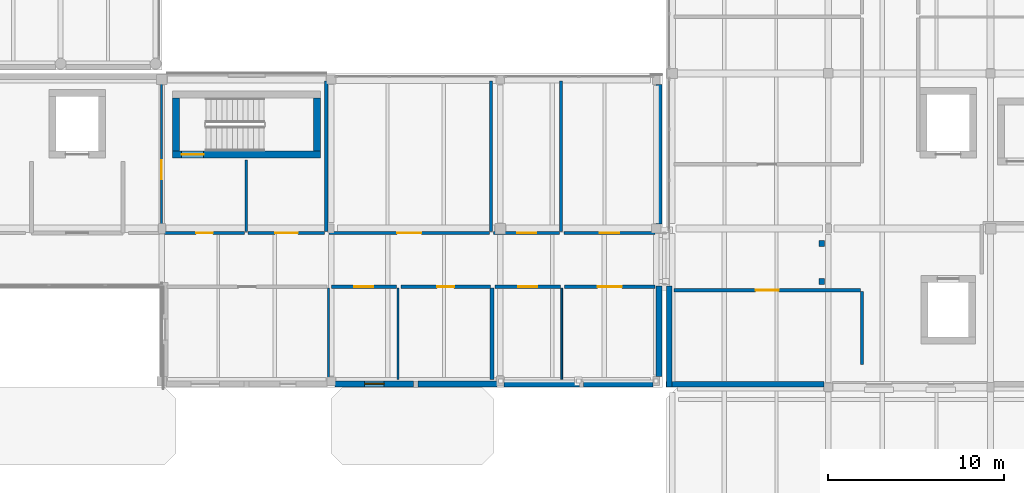
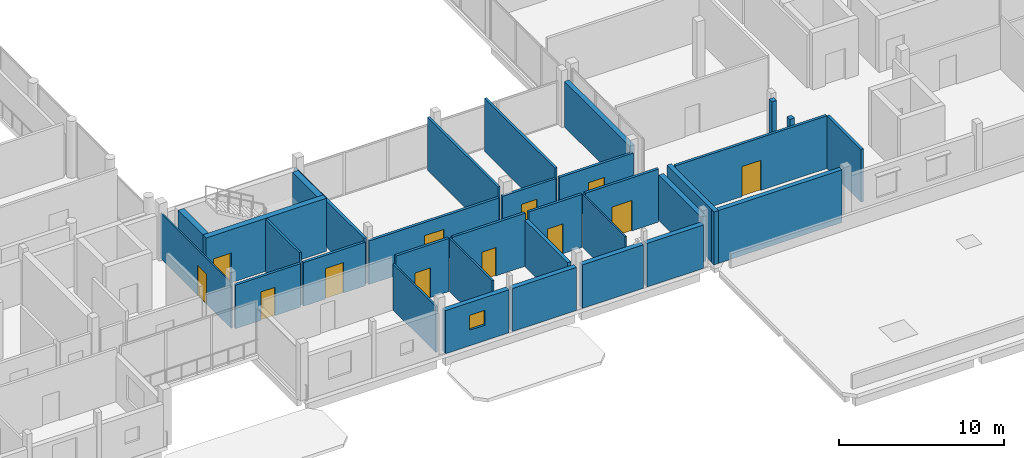
# One storey, part 44 of 66: 33 walls, 12 doors, 1 window, 13 openings.
"""IFC4 building model written with IfcOpenShell, lengths in metres."""

from ifc_helpers import new_model, si_unit, direction, frame, frame_2d, origin, place, context, subcontext, project, spatial, rectangle, extrude, material, layer, layer_set, type_object, element, fill, save


model = new_model("IFC4")

# Units and contexts
model_context = context("Model", 3, precision=1e-05, world=origin(), true_north=direction((0.0, 1.0)))
body_context = subcontext(model_context, "Body", "Model", "MODEL_VIEW")
ifc_project = project(units=[si_unit("LENGTHUNIT", "METRE"), si_unit("AREAUNIT", "SQUARE_METRE"), si_unit("VOLUMEUNIT", "CUBIC_METRE"), si_unit("PLANEANGLEUNIT", "RADIAN"), si_unit("MASSUNIT", "GRAM", prefix="KILO")], contexts=[model_context])

# Site, building, storey
site_placement = place(None, origin())
site = spatial("IfcSite", under=ifc_project, at=site_placement, CompositionType="ELEMENT")
building_placement = place(site_placement, origin())
building = spatial("IfcBuilding", under=site, at=building_placement, Name="Birchvale Park Specialist Clinic", CompositionType="ELEMENT")
storey_placement = place(building_placement, frame((0.0, 0.0, 5.39990234375)))
storey = spatial("IfcBuildingStorey", under=building, at=storey_placement, Name="L01", CompositionType="ELEMENT", Elevation=5.39990234375)

# Wall, opening, door
ifc_material_1 = material(Name="Concrete C40/50", Category="concrete")
ifc_layer_1 = layer(ifc_material_1, 0.39990234375)
ifc_layer_set_1 = layer_set([ifc_layer_1], Name="Concrete C40/50")
wall_type_1 = type_object("IfcWallType", Name="WL-CW-120", PredefinedType="SHEAR", material=ifc_layer_set_1)
wall_1_placement = place(storey_placement, frame((90.800048828125, 30.0, 0.0), z_axis=(0.0, 0.0, 1.0), x_axis=(1.0, 0.0, 0.0)))
wall_1 = element("IfcWall", 1, at=wall_1_placement, inside=storey, type_object=wall_type_1, Name="L01 stair ST5 EI 120 enclosure wall (south)", PredefinedType="SHEAR", context=body_context, shape_type="SweptSolid", body=[
    extrude(rectangle(XDim=8.39990234375, YDim=0.39990234375, at=frame_2d((4.199951171875, 0.0))), origin(), (0.0, 0.0, 1.0), 3.920166015625),
])
opening_1_placement = place(wall_1_placement, frame((0.52001953125, 0.0, 0.0)))
opening_1 = element("IfcOpeningElement", 2, at=opening_1_placement, cuts=wall_1, Name="Opening ID-FD60", PredefinedType="OPENING", context=body_context, shape_type="SweptSolid", body=[
    extrude(rectangle(XDim=1.25, YDim=2.199951171875, at=frame_2d((0.625, 1.10009765625))), frame((0.0, 0.2099609375, 0.0), z_axis=(0.0, -1.0, 0.0), x_axis=(1.0, 0.0, 0.0)), (0.0, 0.0, 1.0), 0.419921875),
])
ifc_material_2 = material(Name="Solid-core birch veneer and anodised aluminium", Category="aluminium")
door_type_1 = type_object("IfcDoorType", Name="DR-ID-FD60", OperationType="NOTDEFINED", PredefinedType="DOOR", material=ifc_material_2)
door_1_placement = place(opening_1_placement, origin())
door_1 = element("IfcDoor", 3, at=door_1_placement, inside=storey, type_object=door_type_1, Name="L01 stair ST5 fire door", OperationType="SINGLE_SWING_LEFT", OverallHeight=2.199951171875, OverallWidth=1.25, PredefinedType="DOOR", context=body_context, shape_type="SweptSolid", body=[
    extrude(rectangle(XDim=1.25, YDim=2.199951171875, at=frame_2d((0.625, 1.10009765625))), frame((0.0, 0.02490234375, 0.0), z_axis=(0.0, -1.0, 0.0), x_axis=(1.0, 0.0, 0.0)), (0.0, 0.0, 1.0), 0.050048828125),
])
fill(opening_1, door_1)

# Walls
for number, where, z_axis, x_axis, name in (
    (4, (91.0, 30.199951171875, 0.0), (0.0, 0.0, 1.0), (0.0, 1.0, 0.0), "L01 stair ST5 EI 120 enclosure wall (west)"),
    (5, (99.0, 33.199951171875, 0.0), (0.0, 0.0, 1.0), (0.0, -1.0, 0.0), "L01 stair ST5 EI 120 enclosure wall (east)"),
):
    element("IfcWall", number, at=place(storey_placement, frame(where, z_axis=z_axis, x_axis=x_axis)), inside=storey, type_object=wall_type_1, Name=name, PredefinedType="SHEAR", context=body_context, shape_type="SweptSolid", body=[
        extrude(rectangle(XDim=3.0, YDim=0.39990234375, at=frame_2d((1.5, 0.0))), origin(), (0.0, 0.0, 1.0), 3.920166015625),
    ])

# Wall, opening, window
ifc_material_3 = material(Name="Lime-white mineral-rendered insulated masonry", Category="masonry")
ifc_layer_2 = layer(ifc_material_3, 0.340087890625)
ifc_layer_set_2 = layer_set([ifc_layer_2], Name="Lime-white mineral-rendered insulated masonry")
wall_type_2 = type_object("IfcWallType", Name="WL-EW-01", PredefinedType="STANDARD", material=ifc_layer_set_2)
wall_2_placement = place(storey_placement, frame((100.034912109375, 16.989990234375, 0.0), z_axis=(0.0, 0.0, 1.0), x_axis=(1.0, 0.0, 0.0)))
wall_2 = element("IfcWall", 6, at=wall_2_placement, inside=storey, type_object=wall_type_2, Name="V4 L01 exterior facade wall 147", PredefinedType="STANDARD", context=body_context, shape_type="SweptSolid", body=[
    extrude(rectangle(XDim=4.445068359375, YDim=0.340087890625, at=frame_2d((2.22265625, 0.0))), origin(), (0.0, 0.0, 1.0), 3.18505859375),
])
opening_2_placement = place(wall_2_placement, frame((1.672607421875, 0.0, 1.14990234375)))
opening_2 = element("IfcOpeningElement", 7, at=opening_2_placement, cuts=wall_2, Name="Opening W-SQ11", PredefinedType="OPENING", context=body_context, shape_type="SweptSolid", body=[
    extrude(rectangle(XDim=1.10009765625, YDim=1.10009765625, at=frame_2d((0.550048828125, 0.550048828125))), frame((0.0, 0.18017578125, 0.0), z_axis=(0.0, -1.0, 0.0), x_axis=(1.0, 0.0, 0.0)), (0.0, 0.0, 1.0), 0.360107421875),
])
ifc_material_4 = material(Name="Solar-control low-E double glazing", Category="glass")
window_type = type_object("IfcWindowType", Name="WIN-W-SQ11", PartitioningType="SINGLE_PANEL", PredefinedType="WINDOW", material=ifc_material_4)
window_placement = place(opening_2_placement, origin())
window = element("IfcWindow", 8, at=window_placement, inside=storey, type_object=window_type, Name="V4 L01 cased window 41", OverallHeight=1.10009765625, OverallWidth=1.10009765625, PartitioningType="SINGLE_PANEL", PredefinedType="WINDOW", context=body_context, shape_type="SweptSolid", body=[
    extrude(rectangle(XDim=1.10009765625, YDim=1.10009765625, at=frame_2d((0.550048828125, 0.550048828125))), frame((0.0, 0.030029296875, 0.0), z_axis=(0.0, -1.0, 0.0), x_axis=(1.0, 0.0, 0.0)), (0.0, 0.0, 1.0), 0.06005859375),
])
fill(opening_2, window)

# Walls
wall_3_placement = place(storey_placement, frame((104.719970703125, 16.989990234375, 0.0), z_axis=(0.0, 0.0, 1.0), x_axis=(1.0, 0.0, 0.0)))
element("IfcWall", 9, at=wall_3_placement, inside=storey, type_object=wall_type_2, Name="V4 L01 exterior facade wall 148", PredefinedType="STANDARD", context=body_context, shape_type="SweptSolid", body=[
    extrude(rectangle(XDim=4.47509765625, YDim=0.340087890625, at=frame_2d((2.237548828125, 0.0))), origin(), (0.0, 0.0, 1.0), 3.18505859375),
])
wall_4_placement = place(storey_placement, frame((109.60498046875, 16.989990234375, 0.0), z_axis=(0.0, 0.0, 1.0), x_axis=(1.0, 0.0, 0.0)))
element("IfcWall", 10, at=wall_4_placement, inside=storey, type_object=wall_type_2, Name="V4 L01 exterior facade wall 149", PredefinedType="STANDARD", context=body_context, shape_type="SweptSolid", body=[
    extrude(rectangle(XDim=4.280029296875, YDim=0.340087890625, at=frame_2d((2.14013671875, 0.0))), origin(), (0.0, 0.0, 1.0), 3.215087890625),
])
wall_5_placement = place(storey_placement, frame((114.114990234375, 16.989990234375, 0.0), z_axis=(0.0, 0.0, 1.0), x_axis=(1.0, 0.0, 0.0)))
element("IfcWall", 11, at=wall_5_placement, inside=storey, type_object=wall_type_2, Name="V4 L01 exterior facade wall 150", PredefinedType="STANDARD", context=body_context, shape_type="SweptSolid", body=[
    extrude(rectangle(XDim=3.955078125, YDim=0.340087890625, at=frame_2d((1.9775390625, 0.0))), origin(), (0.0, 0.0, 1.0), 3.215087890625),
])
wall_6_placement = place(storey_placement, frame((118.409912109375, 17.405029296875, 0.0), z_axis=(0.0, 0.0, 1.0), x_axis=(0.0, 1.0, 0.0)))
element("IfcWall", 12, at=wall_6_placement, inside=storey, type_object=wall_type_2, Name="V4 L01 exterior facade wall 151", PredefinedType="STANDARD", context=body_context, shape_type="SweptSolid", body=[
    extrude(rectangle(XDim=5.14501953125, YDim=0.340087890625, at=frame_2d((2.572509765625, 0.0))), origin(), (0.0, 0.0, 1.0), 3.364990234375),
])
wall_7_placement = place(storey_placement, frame((118.409912109375, 26.06005859375, 0.0), z_axis=(0.0, 0.0, 1.0), x_axis=(0.0, 1.0, 0.0)))
element("IfcWall", 13, at=wall_7_placement, inside=storey, type_object=wall_type_2, Name="V4 L01 exterior facade wall 152", PredefinedType="STANDARD", context=body_context, shape_type="SweptSolid", body=[
    extrude(rectangle(XDim=7.905029296875, YDim=0.340087890625, at=frame_2d((3.95263671875, 0.0))), origin(), (0.0, 0.0, 1.0), 3.364990234375),
])
ifc_layer_3 = layer(ifc_material_3, 0.31005859375)
ifc_layer_set_3 = layer_set([ifc_layer_3], Name="Lime-white mineral-rendered insulated masonry")
wall_type_3 = type_object("IfcWallType", Name="WL-EW-02", PredefinedType="STANDARD", material=ifc_layer_set_3)
wall_8_placement = place(storey_placement, frame((118.800048828125, 16.97509765625, 0.0), z_axis=(0.0, 0.0, 1.0), x_axis=(1.0, 0.0, 0.0)))
element("IfcWall", 14, at=wall_8_placement, inside=storey, type_object=wall_type_3, Name="V5 L01 exterior facade wall 159", PredefinedType="STANDARD", context=body_context, shape_type="SweptSolid", body=[
    extrude(rectangle(XDim=8.954833984375, YDim=0.31005859375, at=frame_2d((4.4775390625, 0.0))), origin(), (0.0, 0.0, 1.0), 3.900146484375),
])
wall_9_placement = place(storey_placement, frame((118.97509765625, 22.550048828125, 0.0), z_axis=(0.0, 0.0, 1.0), x_axis=(0.0, -1.0, 0.0)))
element("IfcWall", 15, at=wall_9_placement, inside=storey, type_object=wall_type_3, Name="V5 L01 exterior facade wall 171", PredefinedType="STANDARD", context=body_context, shape_type="SweptSolid", body=[
    extrude(rectangle(XDim=5.72998046875, YDim=0.31005859375, at=frame_2d((2.864990234375, 0.0))), origin(), (0.0, 0.0, 1.0), 3.900146484375),
])
ifc_material_5 = material(Name="Acoustic gypsum board on metal framing")
ifc_layer_4 = layer(ifc_material_5, 0.1650390625)
ifc_layer_set_4 = layer_set([ifc_layer_4], Name="Acoustic gypsum board on metal framing")
wall_type_4 = type_object("IfcWallType", Name="WL-IW-01", PredefinedType="PARTITIONING", material=ifc_layer_set_4)
for number, where, z_axis, x_axis, name in (
    (16, (108.860107421875, 34.159912109375, 0.0), (0.0, 0.0, 1.0), (0.0, -1.0, 0.0), "V4 L01 clinical partition 358"),
    (17, (112.845947265625, 34.159912109375, 0.0), (0.0, 0.0, 1.0), (0.0, -1.0, 0.0), "V4 L01 clinical partition 360"),
):
    element("IfcWall", number, at=place(storey_placement, frame(where, z_axis=z_axis, x_axis=x_axis)), inside=storey, type_object=wall_type_4, Name=name, PredefinedType="PARTITIONING", context=body_context, shape_type="SweptSolid", body=[
        extrude(rectangle(XDim=8.530029296875, YDim=0.1650390625, at=frame_2d((4.26513671875, 0.0))), origin(), (0.0, 0.0, 1.0), 3.920166015625),
    ])
ifc_layer_5 = layer(ifc_material_5, 0.14990234375)
ifc_layer_set_5 = layer_set([ifc_layer_5], Name="Acoustic gypsum board on metal framing")
wall_type_5 = type_object("IfcWallType", Name="WL-IW-02", PredefinedType="PARTITIONING", material=ifc_layer_set_5)
wall_10_placement = place(storey_placement, frame((94.97998046875, 29.699951171875, 0.0), z_axis=(0.0, 0.0, 1.0), x_axis=(0.0, -1.0, 0.0)))
element("IfcWall", 18, at=wall_10_placement, inside=storey, type_object=wall_type_5, Name="V4 L01 clinical partition 354", PredefinedType="PARTITIONING", context=body_context, shape_type="SweptSolid", body=[
    extrude(rectangle(XDim=4.070068359375, YDim=0.14990234375, at=frame_2d((2.03515625, 0.0))), origin(), (0.0, 0.0, 1.0), 3.920166015625),
])
ifc_layer_6 = layer(ifc_material_5, 0.125)
ifc_layer_set_6 = layer_set([ifc_layer_6], Name="Acoustic gypsum board on metal framing")
wall_type_6 = type_object("IfcWallType", Name="WL-IW-04", PredefinedType="PARTITIONING", material=ifc_layer_set_6)
wall_11_placement = place(storey_placement, frame((99.6533203125, 22.419921875, 0.0), z_axis=(0.0, 0.0, 1.0), x_axis=(0.0, -1.0, 0.0)))
element("IfcWall", 19, at=wall_11_placement, inside=storey, type_object=wall_type_6, Name="V4 L01 clinical partition 329", PredefinedType="PARTITIONING", context=body_context, shape_type="SweptSolid", body=[
    extrude(rectangle(XDim=5.179931640625, YDim=0.125, at=frame_2d((2.58984375, 0.0))), origin(), (0.0, 0.0, 1.0), 3.405029296875),
])
wall_12_placement = place(storey_placement, frame((103.594482421875, 22.419921875, 0.0), z_axis=(0.0, 0.0, 1.0), x_axis=(0.0, -1.0, 0.0)))
element("IfcWall", 20, at=wall_12_placement, inside=storey, type_object=wall_type_6, Name="V4 L01 clinical partition 330", PredefinedType="PARTITIONING", context=body_context, shape_type="SweptSolid", body=[
    extrude(rectangle(XDim=5.179931640625, YDim=0.125, at=frame_2d((2.58984375, 0.0))), origin(), (0.0, 0.0, 1.0), 3.920166015625),
])
ifc_layer_7 = layer(ifc_material_5, 0.10009765625)
ifc_layer_set_7 = layer_set([ifc_layer_7], Name="Acoustic gypsum board on metal framing")
wall_type_7 = type_object("IfcWallType", Name="WL-IW-06", PredefinedType="PARTITIONING", material=ifc_layer_set_7)
wall_13_placement = place(storey_placement, frame((112.884765625, 22.419921875, 0.0), z_axis=(0.0, 0.0, 1.0), x_axis=(0.0, -1.0, 0.0)))
element("IfcWall", 21, at=wall_13_placement, inside=storey, type_object=wall_type_7, Name="V4 L01 clinical partition 334", PredefinedType="PARTITIONING", context=body_context, shape_type="SweptSolid", body=[
    extrude(rectangle(XDim=5.179931640625, YDim=0.10009765625, at=frame_2d((2.58984375, 0.0))), origin(), (0.0, 0.0, 1.0), 3.920166015625),
])

# Wall, opening, door
wall_14_placement = place(storey_placement, frame((90.179931640625, 34.159912109375, 0.0), z_axis=(0.0, 0.0, 1.0), x_axis=(0.0, -1.0, 0.0)))
wall_14 = element("IfcWall", 22, at=wall_14_placement, inside=storey, type_object=wall_type_7, Name="V4 L01 clinical partition 352", PredefinedType="PARTITIONING", context=body_context, shape_type="SweptSolid", body=[
    extrude(rectangle(XDim=8.530029296875, YDim=0.10009765625, at=frame_2d((4.26513671875, 0.0))), origin(), (0.0, 0.0, 1.0), 3.364990234375),
])
opening_3_placement = place(wall_14_placement, frame((4.47509765625, 0.0, 0.0)))
opening_3 = element("IfcOpeningElement", 23, at=opening_3_placement, cuts=wall_14, Name="Opening ID-03", PredefinedType="OPENING", context=body_context, shape_type="SweptSolid", body=[
    extrude(rectangle(XDim=1.080078125, YDim=2.199951171875, at=frame_2d((0.5400390625, 1.10009765625))), frame((0.0, 0.06005859375, 0.0), z_axis=(0.0, -1.0, 0.0), x_axis=(1.0, 0.0, 0.0)), (0.0, 0.0, 1.0), 0.1201171875),
])
door_type_2 = type_object("IfcDoorType", Name="DR-ID-03", OperationType="NOTDEFINED", PredefinedType="DOOR", material=ifc_material_2)
door_2_placement = place(opening_3_placement, origin())
door_2 = element("IfcDoor", 24, at=door_2_placement, inside=storey, type_object=door_type_2, Name="V4 L01 clinical suite door 263", OperationType="SINGLE_SWING_RIGHT", OverallHeight=2.199951171875, OverallWidth=1.080078125, PredefinedType="DOOR", context=body_context, shape_type="SweptSolid", body=[
    extrude(rectangle(XDim=1.080078125, YDim=2.199951171875, at=frame_2d((0.5400390625, 1.10009765625))), frame((0.0, 0.02490234375, 0.0), z_axis=(0.0, -1.0, 0.0), x_axis=(1.0, 0.0, 0.0)), (0.0, 0.0, 1.0), 0.050048828125),
])
fill(opening_3, door_2)

# Walls
ifc_layer_8 = layer(ifc_material_5, 0.195068359375)
ifc_layer_set_8 = layer_set([ifc_layer_8], Name="Acoustic gypsum board on metal framing")
wall_type_8 = type_object("IfcWallType", Name="WL-IW-07", PredefinedType="PARTITIONING", material=ifc_layer_set_8)
wall_15_placement = place(storey_placement, frame((99.52001953125, 34.159912109375, 0.0), z_axis=(0.0, 0.0, 1.0), x_axis=(0.0, -1.0, 0.0)))
element("IfcWall", 25, at=wall_15_placement, inside=storey, type_object=wall_type_8, Name="V4 L01 clinical partition 356", PredefinedType="PARTITIONING", context=body_context, shape_type="SweptSolid", body=[
    extrude(rectangle(XDim=8.530029296875, YDim=0.195068359375, at=frame_2d((4.26513671875, 0.0))), origin(), (0.0, 0.0, 1.0), 3.405029296875),
])
ifc_layer_9 = layer(ifc_material_5, 0.239990234375)
ifc_layer_set_9 = layer_set([ifc_layer_9], Name="Acoustic gypsum board on metal framing")
wall_type_9 = type_object("IfcWallType", Name="WL-IW-08", PredefinedType="PARTITIONING", material=ifc_layer_set_9)
wall_16_placement = place(storey_placement, frame((108.9267578125, 22.419921875, 0.0), z_axis=(0.0, 0.0, 1.0), x_axis=(0.0, -1.0, 0.0)))
element("IfcWall", 26, at=wall_16_placement, inside=storey, type_object=wall_type_9, Name="V4 L01 clinical partition 333", PredefinedType="PARTITIONING", context=body_context, shape_type="SweptSolid", body=[
    extrude(rectangle(XDim=5.179931640625, YDim=0.239990234375, at=frame_2d((2.58984375, 0.0))), origin(), (0.0, 0.0, 1.0), 3.405029296875),
])

# Wall, opening, door
ifc_layer_10 = layer(ifc_material_5, 0.179931640625)
ifc_layer_set_10 = layer_set([ifc_layer_10], Name="Acoustic gypsum board on metal framing")
wall_type_10 = type_object("IfcWallType", Name="WL-IW-60", PredefinedType="PARTITIONING", material=ifc_layer_set_10)
wall_17_placement = place(storey_placement, frame((99.813232421875, 22.5, 0.0), z_axis=(0.0, 0.0, 1.0), x_axis=(1.0, 0.0, 0.0)))
wall_17 = element("IfcWall", 27, at=wall_17_placement, inside=storey, type_object=wall_type_10, Name="V4 L01 clinical partition 331", PredefinedType="PARTITIONING", context=body_context, shape_type="SweptSolid", body=[
    extrude(rectangle(XDim=3.701171875, YDim=0.179931640625, at=frame_2d((1.8505859375, 0.0))), origin(), (0.0, 0.0, 1.0), 3.920166015625),
])
opening_4_placement = place(wall_17_placement, frame((1.310546875, 0.0, 0.0)))
opening_4 = element("IfcOpeningElement", 28, at=opening_4_placement, cuts=wall_17, Name="Opening ID-03", PredefinedType="OPENING", context=body_context, shape_type="SweptSolid", body=[
    extrude(rectangle(XDim=1.080078125, YDim=2.199951171875, at=frame_2d((0.5400390625, 1.10009765625))), frame((0.0, 0.10009765625, 0.0), z_axis=(0.0, -1.0, 0.0), x_axis=(1.0, 0.0, 0.0)), (0.0, 0.0, 1.0), 0.199951171875),
])
door_3_placement = place(opening_4_placement, origin())
door_3 = element("IfcDoor", 29, at=door_3_placement, inside=storey, type_object=door_type_2, Name="L01 Accessible Patient WC door", OperationType="SINGLE_SWING_RIGHT", OverallHeight=2.199951171875, OverallWidth=1.080078125, PredefinedType="DOOR", context=body_context, shape_type="SweptSolid", body=[
    extrude(rectangle(XDim=1.080078125, YDim=2.199951171875, at=frame_2d((0.5400390625, 1.10009765625))), frame((0.0, 0.02490234375, 0.0), z_axis=(0.0, -1.0, 0.0), x_axis=(1.0, 0.0, 0.0)), (0.0, 0.0, 1.0), 0.050048828125),
])
fill(opening_4, door_3)

wall_18_placement = place(storey_placement, frame((103.75439453125, 22.5, 0.0), z_axis=(0.0, 0.0, 1.0), x_axis=(1.0, 0.0, 0.0)))
wall_18 = element("IfcWall", 30, at=wall_18_placement, inside=storey, type_object=wall_type_10, Name="V4 L01 clinical partition 332", PredefinedType="PARTITIONING", context=body_context, shape_type="SweptSolid", body=[
    extrude(rectangle(XDim=5.09228515625, YDim=0.179931640625, at=frame_2d((2.546142578125, 0.0))), origin(), (0.0, 0.0, 1.0), 3.920166015625),
])
opening_5_placement = place(wall_18_placement, frame((2.066162109375, 0.0, 0.0)))
opening_5 = element("IfcOpeningElement", 31, at=opening_5_placement, cuts=wall_18, Name="Opening ID-04", PredefinedType="OPENING", context=body_context, shape_type="SweptSolid", body=[
    extrude(rectangle(XDim=0.9599609375, YDim=2.10009765625, at=frame_2d((0.47998046875, 1.050048828125))), frame((0.0, 0.10009765625, 0.0), z_axis=(0.0, -1.0, 0.0), x_axis=(1.0, 0.0, 0.0)), (0.0, 0.0, 1.0), 0.199951171875),
])
door_type_3 = type_object("IfcDoorType", Name="DR-ID-04", OperationType="NOTDEFINED", PredefinedType="DOOR", material=ifc_material_2)
door_4_placement = place(opening_5_placement, origin())
door_4 = element("IfcDoor", 32, at=door_4_placement, inside=storey, type_object=door_type_3, Name="L01 Oncology Consultation Suite door", OperationType="SINGLE_SWING_LEFT", OverallHeight=2.10009765625, OverallWidth=0.9599609375, PredefinedType="DOOR", context=body_context, shape_type="SweptSolid", body=[
    extrude(rectangle(XDim=0.9599609375, YDim=2.10009765625, at=frame_2d((0.47998046875, 1.050048828125))), frame((0.0, 0.02490234375, 0.0), z_axis=(0.0, -1.0, 0.0), x_axis=(1.0, 0.0, 0.0)), (0.0, 0.0, 1.0), 0.050048828125),
])
fill(opening_5, door_4)

wall_19_placement = place(storey_placement, frame((109.086669921875, 22.5, 0.0), z_axis=(0.0, 0.0, 1.0), x_axis=(1.0, 0.0, 0.0)))
wall_19 = element("IfcWall", 33, at=wall_19_placement, inside=storey, type_object=wall_type_10, Name="V4 L01 clinical partition 335", PredefinedType="PARTITIONING", context=body_context, shape_type="SweptSolid", body=[
    extrude(rectangle(XDim=3.718017578125, YDim=0.179931640625, at=frame_2d((1.85888671875, 0.0))), origin(), (0.0, 0.0, 1.0), 3.920166015625),
])
opening_6_placement = place(wall_19_placement, frame((1.319091796875, 0.0, 0.0)))
opening_6 = element("IfcOpeningElement", 34, at=opening_6_placement, cuts=wall_19, Name="Opening ID-03", PredefinedType="OPENING", context=body_context, shape_type="SweptSolid", body=[
    extrude(rectangle(XDim=1.080078125, YDim=2.199951171875, at=frame_2d((0.5400390625, 1.10009765625))), frame((0.0, 0.10009765625, 0.0), z_axis=(0.0, -1.0, 0.0), x_axis=(1.0, 0.0, 0.0)), (0.0, 0.0, 1.0), 0.199951171875),
])
door_5_placement = place(opening_6_placement, origin())
door_5 = element("IfcDoor", 35, at=door_5_placement, inside=storey, type_object=door_type_2, Name="L01 Accessible Staff WC door", OperationType="SINGLE_SWING_RIGHT", OverallHeight=2.199951171875, OverallWidth=1.080078125, PredefinedType="DOOR", context=body_context, shape_type="SweptSolid", body=[
    extrude(rectangle(XDim=1.080078125, YDim=2.199951171875, at=frame_2d((0.5400390625, 1.10009765625))), frame((0.0, 0.02490234375, 0.0), z_axis=(0.0, -1.0, 0.0), x_axis=(1.0, 0.0, 0.0)), (0.0, 0.0, 1.0), 0.050048828125),
])
fill(opening_6, door_5)

wall_20_placement = place(storey_placement, frame((113.044677734375, 22.5, 0.0), z_axis=(0.0, 0.0, 1.0), x_axis=(1.0, 0.0, 0.0)))
wall_20 = element("IfcWall", 36, at=wall_20_placement, inside=storey, type_object=wall_type_10, Name="V4 L01 clinical partition 336", PredefinedType="PARTITIONING", context=body_context, shape_type="SweptSolid", body=[
    extrude(rectangle(XDim=5.115234375, YDim=0.179931640625, at=frame_2d((2.5576171875, 0.0))), origin(), (0.0, 0.0, 1.0), 3.920166015625),
])
opening_7_placement = place(wall_20_placement, frame((1.86767578125, 0.0, 0.0)))
opening_7 = element("IfcOpeningElement", 37, at=opening_7_placement, cuts=wall_20, Name="Opening ID-06", PredefinedType="OPENING", context=body_context, shape_type="SweptSolid", body=[
    extrude(rectangle(XDim=1.3798828125, YDim=2.25, at=frame_2d((0.68994140625, 1.125))), frame((0.0, 0.10009765625, 0.0), z_axis=(0.0, -1.0, 0.0), x_axis=(1.0, 0.0, 0.0)), (0.0, 0.0, 1.0), 0.199951171875),
])
door_type_4 = type_object("IfcDoorType", Name="DR-ID-06", OperationType="NOTDEFINED", PredefinedType="DOOR", material=ifc_material_2)
door_6_placement = place(opening_7_placement, origin())
door_6 = element("IfcDoor", 38, at=door_6_placement, inside=storey, type_object=door_type_4, Name="L01 Oncology Consultation Suite door", OperationType="SINGLE_SWING_LEFT", OverallHeight=2.25, OverallWidth=1.3798828125, PredefinedType="DOOR", context=body_context, shape_type="SweptSolid", body=[
    extrude(rectangle(XDim=1.3798828125, YDim=2.25, at=frame_2d((0.68994140625, 1.125))), frame((0.0, 0.02490234375, 0.0), z_axis=(0.0, -1.0, 0.0), x_axis=(1.0, 0.0, 0.0)), (0.0, 0.0, 1.0), 0.050048828125),
])
fill(opening_7, door_6)

wall_21_placement = place(storey_placement, frame((94.89990234375, 25.550048828125, 0.0), z_axis=(0.0, 0.0, 1.0), x_axis=(-1.0, 0.0, 0.0)))
wall_21 = element("IfcWall", 39, at=wall_21_placement, inside=storey, type_object=wall_type_10, Name="V4 L01 clinical partition 355", PredefinedType="PARTITIONING", context=body_context, shape_type="SweptSolid", body=[
    extrude(rectangle(XDim=4.559814453125, YDim=0.179931640625, at=frame_2d((2.27978515625, 0.0))), origin(), (0.0, 0.0, 1.0), 3.22509765625),
])
opening_8_placement = place(wall_21_placement, frame((1.800048828125, 0.0, 0.0)))
opening_8 = element("IfcOpeningElement", 40, at=opening_8_placement, cuts=wall_21, Name="Opening ID-04", PredefinedType="OPENING", context=body_context, shape_type="SweptSolid", body=[
    extrude(rectangle(XDim=0.9599609375, YDim=2.10009765625, at=frame_2d((0.47998046875, 1.050048828125))), frame((0.0, 0.10009765625, 0.0), z_axis=(0.0, -1.0, 0.0), x_axis=(1.0, 0.0, 0.0)), (0.0, 0.0, 1.0), 0.199951171875),
])
door_7_placement = place(opening_8_placement, origin())
door_7 = element("IfcDoor", 41, at=door_7_placement, inside=storey, type_object=door_type_3, Name="L01 Ophthalmology Outpatient Clinic door", OperationType="SINGLE_SWING_LEFT", OverallHeight=2.10009765625, OverallWidth=0.9599609375, PredefinedType="DOOR", context=body_context, shape_type="SweptSolid", body=[
    extrude(rectangle(XDim=0.9599609375, YDim=2.10009765625, at=frame_2d((0.47998046875, 1.050048828125))), frame((0.0, 0.02490234375, 0.0), z_axis=(0.0, -1.0, 0.0), x_axis=(1.0, 0.0, 0.0)), (0.0, 0.0, 1.0), 0.050048828125),
])
fill(opening_8, door_7)

wall_22_placement = place(storey_placement, frame((99.43994140625, 25.550048828125, 0.0), z_axis=(0.0, 0.0, 1.0), x_axis=(-1.0, 0.0, 0.0)))
wall_22 = element("IfcWall", 42, at=wall_22_placement, inside=storey, type_object=wall_type_10, Name="V4 L01 clinical partition 357", PredefinedType="PARTITIONING", context=body_context, shape_type="SweptSolid", body=[
    extrude(rectangle(XDim=4.33984375, YDim=0.179931640625, at=frame_2d((2.169921875, 0.0))), origin(), (0.0, 0.0, 1.0), 3.22509765625),
])
opening_9_placement = place(wall_22_placement, frame((1.530029296875, 0.0, 0.0)))
opening_9 = element("IfcOpeningElement", 43, at=opening_9_placement, cuts=wall_22, Name="Opening ID-05", PredefinedType="OPENING", context=body_context, shape_type="SweptSolid", body=[
    extrude(rectangle(XDim=1.280029296875, YDim=2.25, at=frame_2d((0.64013671875, 1.125))), frame((0.0, 0.10009765625, 0.0), z_axis=(0.0, -1.0, 0.0), x_axis=(1.0, 0.0, 0.0)), (0.0, 0.0, 1.0), 0.199951171875),
])
door_type_5 = type_object("IfcDoorType", Name="DR-ID-05", OperationType="NOTDEFINED", PredefinedType="DOOR", material=ifc_material_2)
door_8_placement = place(opening_9_placement, origin())
door_8 = element("IfcDoor", 44, at=door_8_placement, inside=storey, type_object=door_type_5, Name="L01 Ophthalmology Outpatient Clinic door", OperationType="SINGLE_SWING_RIGHT", OverallHeight=2.25, OverallWidth=1.280029296875, PredefinedType="DOOR", context=body_context, shape_type="SweptSolid", body=[
    extrude(rectangle(XDim=1.280029296875, YDim=2.25, at=frame_2d((0.64013671875, 1.125))), frame((0.0, 0.02490234375, 0.0), z_axis=(0.0, -1.0, 0.0), x_axis=(1.0, 0.0, 0.0)), (0.0, 0.0, 1.0), 0.050048828125),
])
fill(opening_9, door_8)

wall_23_placement = place(storey_placement, frame((108.780029296875, 25.550048828125, 0.0), z_axis=(0.0, 0.0, 1.0), x_axis=(-1.0, 0.0, 0.0)))
wall_23 = element("IfcWall", 45, at=wall_23_placement, inside=storey, type_object=wall_type_10, Name="V4 L01 clinical partition 359", PredefinedType="PARTITIONING", context=body_context, shape_type="SweptSolid", body=[
    extrude(rectangle(XDim=9.10009765625, YDim=0.179931640625, at=frame_2d((4.550048828125, 0.0))), origin(), (0.0, 0.0, 1.0), 3.22509765625),
])
opening_10_placement = place(wall_23_placement, frame((3.860107421875, 0.0, 0.0)))
opening_10 = element("IfcOpeningElement", 46, at=opening_10_placement, cuts=wall_23, Name="Opening ID-06", PredefinedType="OPENING", context=body_context, shape_type="SweptSolid", body=[
    extrude(rectangle(XDim=1.3798828125, YDim=2.25, at=frame_2d((0.68994140625, 1.125))), frame((0.0, 0.10009765625, 0.0), z_axis=(0.0, -1.0, 0.0), x_axis=(1.0, 0.0, 0.0)), (0.0, 0.0, 1.0), 0.199951171875),
])
door_9_placement = place(opening_10_placement, origin())
door_9 = element("IfcDoor", 47, at=door_9_placement, inside=storey, type_object=door_type_4, Name="L01 Outpatient Waiting Lounge door", OperationType="SINGLE_SWING_LEFT", OverallHeight=2.25, OverallWidth=1.3798828125, PredefinedType="DOOR", context=body_context, shape_type="SweptSolid", body=[
    extrude(rectangle(XDim=1.3798828125, YDim=2.25, at=frame_2d((0.68994140625, 1.125))), frame((0.0, 0.02490234375, 0.0), z_axis=(0.0, -1.0, 0.0), x_axis=(1.0, 0.0, 0.0)), (0.0, 0.0, 1.0), 0.050048828125),
])
fill(opening_10, door_9)

wall_24_placement = place(storey_placement, frame((112.76611328125, 25.550048828125, 0.0), z_axis=(0.0, 0.0, 1.0), x_axis=(-1.0, 0.0, 0.0)))
wall_24 = element("IfcWall", 48, at=wall_24_placement, inside=storey, type_object=wall_type_10, Name="V4 L01 clinical partition 361", PredefinedType="PARTITIONING", context=body_context, shape_type="SweptSolid", body=[
    extrude(rectangle(XDim=3.74609375, YDim=0.179931640625, at=frame_2d((1.873046875, 0.0))), origin(), (0.0, 0.0, 1.0), 3.255126953125),
])
opening_11_placement = place(wall_24_placement, frame((1.3330078125, 0.0, 0.0)))
opening_11 = element("IfcOpeningElement", 49, at=opening_11_placement, cuts=wall_24, Name="Opening ID-03", PredefinedType="OPENING", context=body_context, shape_type="SweptSolid", body=[
    extrude(rectangle(XDim=1.080078125, YDim=2.199951171875, at=frame_2d((0.5400390625, 1.10009765625))), frame((0.0, 0.10009765625, 0.0), z_axis=(0.0, -1.0, 0.0), x_axis=(1.0, 0.0, 0.0)), (0.0, 0.0, 1.0), 0.199951171875),
])
door_10_placement = place(opening_11_placement, origin())
door_10 = element("IfcDoor", 50, at=door_10_placement, inside=storey, type_object=door_type_2, Name="L01 Accessible Patient WC door", OperationType="SINGLE_SWING_RIGHT", OverallHeight=2.199951171875, OverallWidth=1.080078125, PredefinedType="DOOR", context=body_context, shape_type="SweptSolid", body=[
    extrude(rectangle(XDim=1.080078125, YDim=2.199951171875, at=frame_2d((0.5400390625, 1.10009765625))), frame((0.0, 0.02490234375, 0.0), z_axis=(0.0, -1.0, 0.0), x_axis=(1.0, 0.0, 0.0)), (0.0, 0.0, 1.0), 0.050048828125),
])
fill(opening_11, door_10)

wall_25_placement = place(storey_placement, frame((118.159912109375, 25.550048828125, 0.0), z_axis=(0.0, 0.0, 1.0), x_axis=(-1.0, 0.0, 0.0)))
wall_25 = element("IfcWall", 51, at=wall_25_placement, inside=storey, type_object=wall_type_10, Name="V4 L01 clinical partition 362", PredefinedType="PARTITIONING", context=body_context, shape_type="SweptSolid", body=[
    extrude(rectangle(XDim=5.15380859375, YDim=0.179931640625, at=frame_2d((2.576904296875, 0.0))), origin(), (0.0, 0.0, 1.0), 3.255126953125),
])
opening_12_placement = place(wall_25_placement, frame((2.01708984375, 0.0, 0.0)))
opening_12 = element("IfcOpeningElement", 52, at=opening_12_placement, cuts=wall_25, Name="Opening ID-11", PredefinedType="OPENING", context=body_context, shape_type="SweptSolid", body=[
    extrude(rectangle(XDim=1.1201171875, YDim=2.159912109375, at=frame_2d((0.56005859375, 1.080078125))), frame((0.0, 0.10009765625, 0.0), z_axis=(0.0, -1.0, 0.0), x_axis=(1.0, 0.0, 0.0)), (0.0, 0.0, 1.0), 0.199951171875),
])
door_type_6 = type_object("IfcDoorType", Name="DR-ID-11", OperationType="NOTDEFINED", PredefinedType="DOOR", material=ifc_material_2)
door_11_placement = place(opening_12_placement, origin())
door_11 = element("IfcDoor", 53, at=door_11_placement, inside=storey, type_object=door_type_6, Name="L01 Oncology Consultation Suite door", OperationType="SINGLE_SWING_LEFT", OverallHeight=2.159912109375, OverallWidth=1.1201171875, PredefinedType="DOOR", context=body_context, shape_type="SweptSolid", body=[
    extrude(rectangle(XDim=1.1201171875, YDim=2.159912109375, at=frame_2d((0.56005859375, 1.080078125))), frame((0.0, 0.02490234375, 0.0), z_axis=(0.0, -1.0, 0.0), x_axis=(1.0, 0.0, 0.0)), (0.0, 0.0, 1.0), 0.050048828125),
])
fill(opening_12, door_11)

wall_26_placement = place(storey_placement, frame((119.239990234375, 22.300048828125, 0.0), z_axis=(0.0, 0.0, 1.0), x_axis=(1.0, 0.0, 0.0)))
wall_26 = element("IfcWall", 54, at=wall_26_placement, inside=storey, type_object=wall_type_10, Name="V5 L01 clinical partition 363", PredefinedType="PARTITIONING", context=body_context, shape_type="SweptSolid", body=[
    extrude(rectangle(XDim=10.580078125, YDim=0.179931640625, at=frame_2d((5.2900390625, 0.0))), origin(), (0.0, 0.0, 1.0), 3.900146484375),
])
opening_13_placement = place(wall_26_placement, frame((4.6298828125, 0.0, 0.0)))
opening_13 = element("IfcOpeningElement", 55, at=opening_13_placement, cuts=wall_26, Name="Opening ID-12", PredefinedType="OPENING", context=body_context, shape_type="SweptSolid", body=[
    extrude(rectangle(XDim=1.320068359375, YDim=2.219970703125, at=frame_2d((0.66015625, 1.10986328125))), frame((0.0, 0.10009765625, 0.0), z_axis=(0.0, -1.0, 0.0), x_axis=(1.0, 0.0, 0.0)), (0.0, 0.0, 1.0), 0.199951171875),
])
door_type_7 = type_object("IfcDoorType", Name="DR-ID-12", OperationType="NOTDEFINED", PredefinedType="DOOR", material=ifc_material_2)
door_12_placement = place(opening_13_placement, origin())
door_12 = element("IfcDoor", 56, at=door_12_placement, inside=storey, type_object=door_type_7, Name="L01 Ambulatory Endoscopy Procedure Room door", OperationType="SINGLE_SWING_RIGHT", OverallHeight=2.219970703125, OverallWidth=1.320068359375, PredefinedType="DOOR", context=body_context, shape_type="SweptSolid", body=[
    extrude(rectangle(XDim=1.320068359375, YDim=2.219970703125, at=frame_2d((0.66015625, 1.10986328125))), frame((0.0, 0.02490234375, 0.0), z_axis=(0.0, -1.0, 0.0), x_axis=(1.0, 0.0, 0.0)), (0.0, 0.0, 1.0), 0.050048828125),
])
fill(opening_13, door_12)

# Walls
wall_27_placement = place(storey_placement, frame((129.89990234375, 22.219970703125, 0.0), z_axis=(0.0, 0.0, 1.0), x_axis=(0.0, -1.0, 0.0)))
element("IfcWall", 57, at=wall_27_placement, inside=storey, type_object=wall_type_10, Name="V5 L01 clinical partition 364", PredefinedType="PARTITIONING", context=body_context, shape_type="SweptSolid", body=[
    extrude(rectangle(XDim=4.119873046875, YDim=0.179931640625, at=frame_2d((2.06005859375, 0.0))), origin(), (0.0, 0.0, 1.0), 3.900146484375),
])
ifc_layer_11 = layer(ifc_material_1, 0.35009765625)
ifc_layer_set_11 = layer_set([ifc_layer_11], Name="Concrete C40/50")
wall_type_11 = type_object("IfcWallType", Name="WL-SW-350", PredefinedType="SHEAR", material=ifc_layer_set_11)
for number, where, z_axis, x_axis, name in (
    (58, (127.4599609375, 22.800048828125, 0.0), (0.0, 0.0, 1.0), (1.0, 0.0, 0.0), "L01 seismic bridge support pier BRG-3 CRB S"),
    (59, (127.4599609375, 24.949951171875, 0.0), (0.0, 0.0, 1.0), (1.0, 0.0, 0.0), "L01 seismic bridge support pier BRG-3 CRB N"),
):
    element("IfcWall", number, at=place(storey_placement, frame(where, z_axis=z_axis, x_axis=x_axis)), inside=storey, type_object=wall_type_11, Name=name, PredefinedType="SHEAR", context=body_context, shape_type="SweptSolid", body=[
        extrude(rectangle(XDim=0.320068359375, YDim=0.35009765625, at=frame_2d((0.16015625, 0.0))), origin(), (0.0, 0.0, 1.0), 4.2001953125),
    ])

save(model, "model.ifc")
